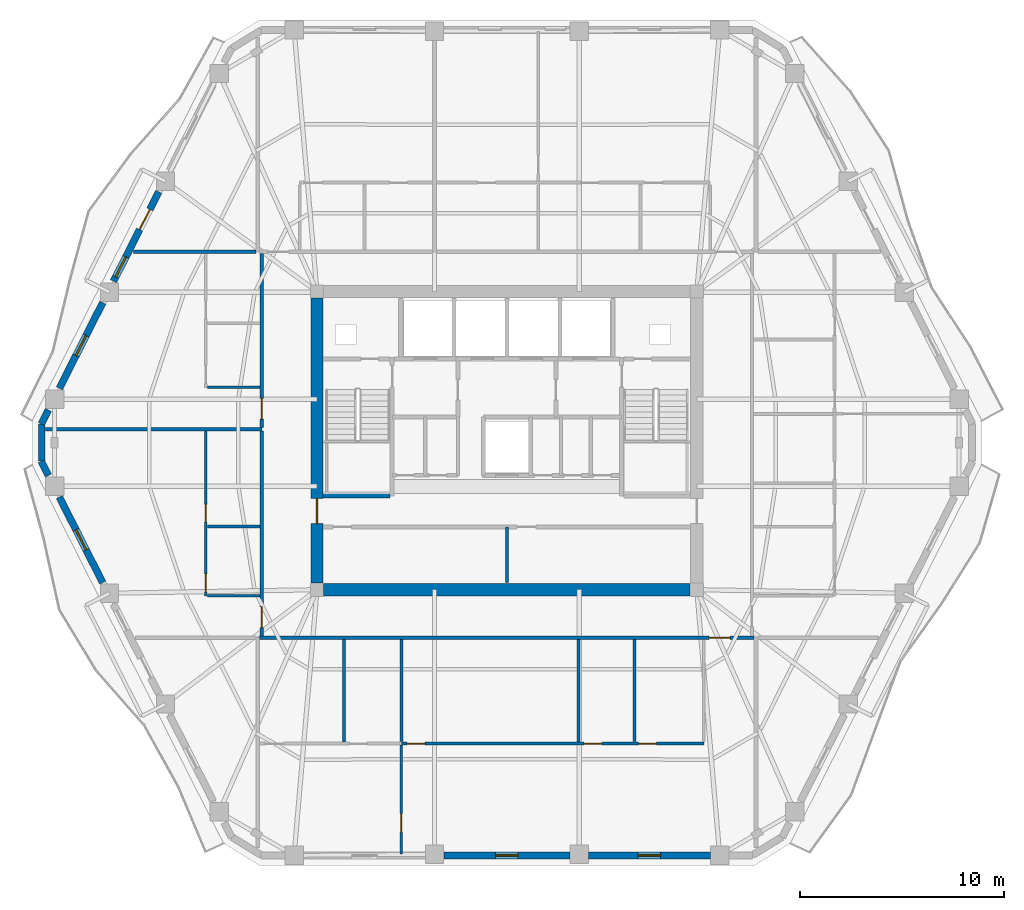
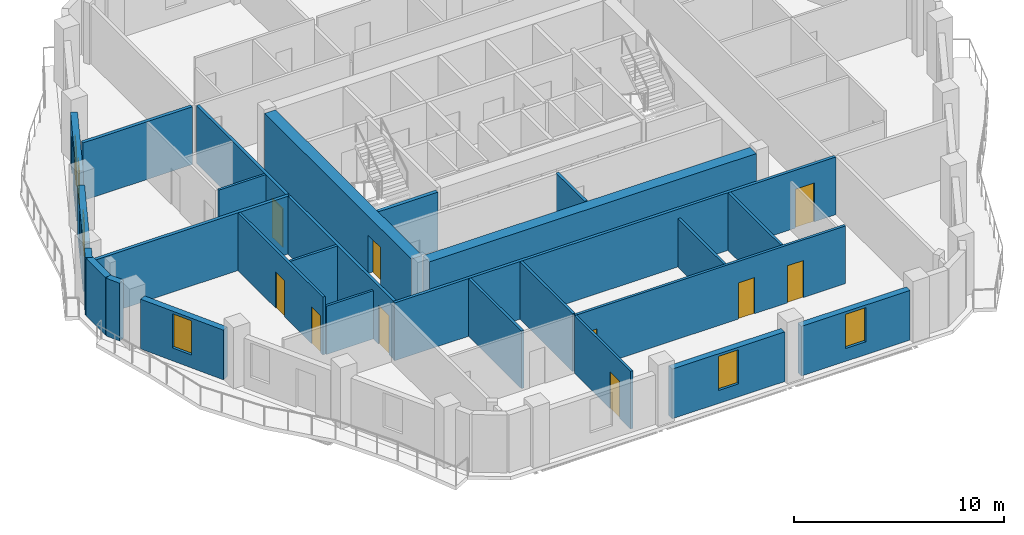
# One storey, part 4 of 12: 27 walls, 11 doors, 5 windows, 16 openings.
"""IFC4 building model written with IfcOpenShell, lengths in metres."""

from ifc_helpers import new_model, si_unit, direction, frame, frame_2d, origin, place, context, subcontext, project, spatial, rectangle, extrude, material, layer, layer_set, type_object, element, fill, save


model = new_model("IFC4")

# Units and contexts
model_context = context("Model", 3, precision=1e-05, world=origin(), true_north=direction((0.0, 1.0)))
body_context = subcontext(model_context, "Body", "Model", "MODEL_VIEW")
ifc_project = project(units=[si_unit("LENGTHUNIT", "METRE"), si_unit("AREAUNIT", "SQUARE_METRE"), si_unit("VOLUMEUNIT", "CUBIC_METRE"), si_unit("PLANEANGLEUNIT", "RADIAN"), si_unit("MASSUNIT", "GRAM", prefix="KILO")], contexts=[model_context])

# Site, building, storey
site_placement = place(None, origin())
site = spatial("IfcSite", under=ifc_project, at=site_placement, CompositionType="ELEMENT")
building_placement = place(site_placement, origin())
building = spatial("IfcBuilding", under=site, at=building_placement, Name="Cinnabar Lancet Tower", CompositionType="ELEMENT")
storey_placement = place(building_placement, frame((0.0, 0.0, 193.199951171875)))
storey = spatial("IfcBuildingStorey", under=building, at=storey_placement, Name="L51", CompositionType="ELEMENT", Elevation=193.199951171875)

# Wall
ifc_material_1 = material(Name="Acoustic twin-stud gypsum partition", Category="gypsum")
ifc_layer_1 = layer(ifc_material_1, 0.159912109375)
ifc_layer_set_1 = layer_set([ifc_layer_1], Name="Acoustic twin-stud gypsum partition")
wall_type_1 = type_object("IfcWallType", Name="ARC-WL-CORR-160", PredefinedType="PARTITIONING", material=ifc_layer_set_1)
wall_1_placement = place(storey_placement, frame((32.39990234375, 18.949951171875, 0.0), z_axis=(0.0, 0.0, 1.0), x_axis=(0.0, 1.0, 0.0)))
element("IfcWall", 1, at=wall_1_placement, inside=storey, type_object=wall_type_1, Name="CW-SB-3240-L51", PredefinedType="PARTITIONING", context=body_context, shape_type="SweptSolid", body=[
    extrude(rectangle(XDim=2.72998046875, YDim=0.159912109375, at=frame_2d((1.364990234375, 0.0))), origin(), (0.0, 0.0, 1.0), 3.35009765625),
])

# Wall, opening, door
wall_2_placement = place(storey_placement, frame((20.294921875, 16.25, 0.0), z_axis=(0.0, 0.0, 1.0), x_axis=(1.0, 0.0, 0.0)))
wall_2 = element("IfcWall", 2, at=wall_2_placement, inside=storey, type_object=wall_type_1, Name="L51 Unit S01 Corridor Wall", PredefinedType="PARTITIONING", context=body_context, shape_type="SweptSolid", body=[
    extrude(rectangle(XDim=24.2099609375, YDim=0.159912109375, at=frame_2d((12.10498046875, 0.0))), origin(), (0.0, 0.0, 1.0), 3.35009765625),
])
opening_1_placement = place(wall_2_placement, frame((22.0048828125, 0.0, 0.0)))
opening_1 = element("IfcOpeningElement", 3, at=opening_1_placement, cuts=wall_2, Name="Opening UD-01", PredefinedType="OPENING", context=body_context, shape_type="SweptSolid", body=[
    extrude(rectangle(XDim=1.02001953125, YDim=2.25, at=frame_2d((0.510009765625, 1.125))), frame((0.0, 0.08984375, 0.0), z_axis=(0.0, -1.0, 0.0), x_axis=(1.0, 0.0, 0.0)), (0.0, 0.0, 1.0), 0.179931640625),
])
ifc_material_2 = material(Name="Solid timber fire-rated apartment entrance door", Category="wood")
door_type_1 = type_object("IfcDoorType", Name="ARC-DR-UNIT", OperationType="NOTDEFINED", PredefinedType="DOOR", material=ifc_material_2)
door_1_placement = place(opening_1_placement, origin())
door_1 = element("IfcDoor", 4, at=door_1_placement, inside=storey, type_object=door_type_1, Name="DR-L51-S01-ENT", OperationType="SINGLE_SWING_RIGHT", OverallHeight=2.25, OverallWidth=1.02001953125, PredefinedType="DOOR", context=body_context, shape_type="SweptSolid", body=[
    extrude(rectangle(XDim=1.02001953125, YDim=2.25, at=frame_2d((0.510009765625, 1.125))), frame((0.0, 0.02490234375, 0.0), z_axis=(0.0, -1.0, 0.0), x_axis=(1.0, 0.0, 0.0)), (0.0, 0.0, 1.0), 0.050048828125),
])
fill(opening_1, door_1)

wall_3_placement = place(storey_placement, frame((20.39990234375, 16.344970703125, 0.0), z_axis=(0.0, 0.0, 1.0), x_axis=(0.0, 1.0, 0.0)))
wall_3 = element("IfcWall", 5, at=wall_3_placement, inside=storey, type_object=wall_type_1, Name="UW-L51-W01-COR", PredefinedType="PARTITIONING", context=body_context, shape_type="SweptSolid", body=[
    extrude(rectangle(XDim=10.01611328125, YDim=0.159912109375, at=frame_2d((5.008056640625, 0.0))), origin(), (0.0, 0.0, 1.0), 3.35009765625),
])
opening_2_placement = place(wall_3_placement, frame((0.39990234375, 0.0, 0.0)))
opening_2 = element("IfcOpeningElement", 6, at=opening_2_placement, cuts=wall_3, Name="Opening UD-01", PredefinedType="OPENING", context=body_context, shape_type="SweptSolid", body=[
    extrude(rectangle(XDim=1.02001953125, YDim=2.25, at=frame_2d((0.510009765625, 1.125))), frame((0.0, 0.08984375, 0.0), z_axis=(0.0, -1.0, 0.0), x_axis=(1.0, 0.0, 0.0)), (0.0, 0.0, 1.0), 0.179931640625),
])
door_2_placement = place(opening_2_placement, origin())
door_2 = element("IfcDoor", 7, at=door_2_placement, inside=storey, type_object=door_type_1, Name="DR-L51-W01-ENT", OperationType="SINGLE_SWING_RIGHT", OverallHeight=2.25, OverallWidth=1.02001953125, PredefinedType="DOOR", context=body_context, shape_type="SweptSolid", body=[
    extrude(rectangle(XDim=1.02001953125, YDim=2.25, at=frame_2d((0.510009765625, 1.125))), frame((0.0, 0.02490234375, 0.0), z_axis=(0.0, -1.0, 0.0), x_axis=(1.0, 0.0, 0.0)), (0.0, 0.0, 1.0), 0.050048828125),
])
fill(opening_2, door_2)

wall_4_placement = place(storey_placement, frame((20.39990234375, 26.551025390625, 0.0), z_axis=(0.0, 0.0, 1.0), x_axis=(0.0, 1.0, 0.0)))
wall_4 = element("IfcWall", 8, at=wall_4_placement, inside=storey, type_object=wall_type_1, Name="UW-L51-W02-COR", PredefinedType="PARTITIONING", context=body_context, shape_type="SweptSolid", body=[
    extrude(rectangle(XDim=8.50390625, YDim=0.159912109375, at=frame_2d((4.251953125, 0.0))), origin(), (0.0, 0.0, 1.0), 3.35009765625),
])
opening_3_placement = place(wall_4_placement, frame((0.39990234375, 0.0, 0.0)))
opening_3 = element("IfcOpeningElement", 9, at=opening_3_placement, cuts=wall_4, Name="Opening UD-01", PredefinedType="OPENING", context=body_context, shape_type="SweptSolid", body=[
    extrude(rectangle(XDim=1.02001953125, YDim=2.25, at=frame_2d((0.510009765625, 1.125))), frame((0.0, 0.08984375, 0.0), z_axis=(0.0, -1.0, 0.0), x_axis=(1.0, 0.0, 0.0)), (0.0, 0.0, 1.0), 0.179931640625),
])
door_3_placement = place(opening_3_placement, origin())
door_3 = element("IfcDoor", 10, at=door_3_placement, inside=storey, type_object=door_type_1, Name="DR-L51-W02-ENT", OperationType="SINGLE_SWING_LEFT", OverallHeight=2.25, OverallWidth=1.02001953125, PredefinedType="DOOR", context=body_context, shape_type="SweptSolid", body=[
    extrude(rectangle(XDim=1.02001953125, YDim=2.25, at=frame_2d((0.510009765625, 1.125))), frame((0.0, 0.02490234375, 0.0), z_axis=(0.0, -1.0, 0.0), x_axis=(1.0, 0.0, 0.0)), (0.0, 0.0, 1.0), 0.050048828125),
])
fill(opening_3, door_3)

# Walls
ifc_material_3 = material(Name="Fire-rated twin-frame acoustic drywall", Category="gypsum")
ifc_layer_2 = layer(ifc_material_3, 0.179931640625)
ifc_layer_set_2 = layer_set([ifc_layer_2], Name="Fire-rated twin-frame acoustic drywall")
wall_type_2 = type_object("IfcWallType", Name="ARC-WL-PARTY-180", PredefinedType="PARTITIONING", material=ifc_layer_set_2)
wall_5_placement = place(storey_placement, frame((14.110107421875, 35.14990234375, 0.0), z_axis=(0.0, 0.0, 1.0), x_axis=(1.0, 0.0, 0.0)))
element("IfcWall", 11, at=wall_5_placement, inside=storey, type_object=wall_type_2, Name="PW-L51-WNB", PredefinedType="PARTITIONING", context=body_context, shape_type="SweptSolid", body=[
    extrude(rectangle(XDim=5.994873046875, YDim=0.179931640625, at=frame_2d((2.99755859375, 0.0))), origin(), (0.0, 0.0, 1.0), 3.35009765625),
])
wall_6_placement = place(storey_placement, frame((9.797119140625, 26.4560546875, 0.0), z_axis=(0.0, 0.0, 1.0), x_axis=(1.0, 0.0, 0.0)))
element("IfcWall", 12, at=wall_6_placement, inside=storey, type_object=wall_type_2, Name="PW-L51-WPTY-1", PredefinedType="PARTITIONING", context=body_context, shape_type="SweptSolid", body=[
    extrude(rectangle(XDim=10.602783203125, YDim=0.179931640625, at=frame_2d((5.30126953125, 0.0))), origin(), (0.0, 0.0, 1.0), 3.35009765625),
])
ifc_material_4 = material(Name="Autoclaved aerated concrete blockwork", Category="masonry")
ifc_layer_3 = layer(ifc_material_4, 0.199951171875)
ifc_layer_set_3 = layer_set([ifc_layer_3], Name="Autoclaved aerated concrete blockwork")
wall_type_3 = type_object("IfcWallType", Name="ARC-WL-SHAFT-200", PredefinedType="PLUMBINGWALL", material=ifc_layer_set_3)
wall_7_placement = place(storey_placement, frame((23.405029296875, 23.199951171875, 0.0), z_axis=(0.0, 0.0, 1.0), x_axis=(1.0, 0.0, 0.0)))
element("IfcWall", 13, at=wall_7_placement, inside=storey, type_object=wall_type_3, Name="CW-ST1S-L51", PredefinedType="PLUMBINGWALL", context=body_context, shape_type="SweptSolid", body=[
    extrude(rectangle(XDim=3.27001953125, YDim=0.199951171875, at=frame_2d((1.635009765625, 0.0))), origin(), (0.0, 0.0, 1.0), 3.35009765625),
])

# Wall, opening, door
ifc_material_5 = material(Name="Gypsum plasterboard stud partition", Category="gypsum")
ifc_layer_4 = layer(ifc_material_5, 0.125)
ifc_layer_set_4 = layer_set([ifc_layer_4], Name="Gypsum plasterboard stud partition")
wall_type_4 = type_object("IfcWallType", Name="ARC-WL-UNIT-125", PredefinedType="PARTITIONING", material=ifc_layer_set_4)
wall_8_placement = place(storey_placement, frame((27.237060546875, 5.6650390625, 0.0), z_axis=(0.0, 0.0, 1.0), x_axis=(0.0, 1.0, 0.0)))
wall_8 = element("IfcWall", 14, at=wall_8_placement, inside=storey, type_object=wall_type_4, Name="UW-L51-S01-MBW", PredefinedType="PARTITIONING", context=body_context, shape_type="SweptSolid", body=[
    extrude(rectangle(XDim=5.322998046875, YDim=0.125, at=frame_2d((2.66162109375, 0.0))), origin(), (0.0, 0.0, 1.0), 3.35009765625),
])
opening_4_placement = place(wall_8_placement, frame((1.050048828125, 0.0, 0.0)))
opening_4 = element("IfcOpeningElement", 15, at=opening_4_placement, cuts=wall_8, Name="Opening RD-01", PredefinedType="OPENING", context=body_context, shape_type="SweptSolid", body=[
    extrude(rectangle(XDim=0.919921875, YDim=2.14990234375, at=frame_2d((0.4599609375, 1.074951171875))), frame((0.0, 0.072509765625, 0.0), z_axis=(0.0, -1.0, 0.0), x_axis=(1.0, 0.0, 0.0)), (0.0, 0.0, 1.0), 0.14501953125),
])
ifc_material_6 = material(Name="Engineered timber bedroom door", Category="wood")
door_type_2 = type_object("IfcDoorType", Name="ARC-DR-ROOM", OperationType="NOTDEFINED", PredefinedType="DOOR", material=ifc_material_6)
door_4_placement = place(opening_4_placement, origin())
door_4 = element("IfcDoor", 16, at=door_4_placement, inside=storey, type_object=door_type_2, Name="DR-L51-S01-MBD", OperationType="SINGLE_SWING_LEFT", OverallHeight=2.14990234375, OverallWidth=0.919921875, PredefinedType="DOOR", context=body_context, shape_type="SweptSolid", body=[
    extrude(rectangle(XDim=0.919921875, YDim=2.14990234375, at=frame_2d((0.4599609375, 1.074951171875))), frame((0.0, 0.02490234375, 0.0), z_axis=(0.0, -1.0, 0.0), x_axis=(1.0, 0.0, 0.0)), (0.0, 0.0, 1.0), 0.050048828125),
])
fill(opening_4, door_4)

# Walls
wall_9_placement = place(storey_placement, frame((17.735107421875, 18.300048828125, 0.0), z_axis=(0.0, 0.0, 1.0), x_axis=(1.0, 0.0, 0.0)))
element("IfcWall", 17, at=wall_9_placement, inside=storey, type_object=wall_type_4, Name="UW-L51-W01-FOYN", PredefinedType="PARTITIONING", context=body_context, shape_type="SweptSolid", body=[
    extrude(rectangle(XDim=2.579833984375, YDim=0.125, at=frame_2d((1.2900390625, 0.0))), origin(), (0.0, 0.0, 1.0), 2.80712890625),
])
wall_10_placement = place(storey_placement, frame((17.735107421875, 28.506103515625, 0.0), z_axis=(0.0, 0.0, 1.0), x_axis=(1.0, 0.0, 0.0)))
element("IfcWall", 18, at=wall_10_placement, inside=storey, type_object=wall_type_4, Name="UW-L51-W02-FOYN", PredefinedType="PARTITIONING", context=body_context, shape_type="SweptSolid", body=[
    extrude(rectangle(XDim=2.579833984375, YDim=0.125, at=frame_2d((1.2900390625, 0.0))), origin(), (0.0, 0.0, 1.0), 3.35009765625),
])

# Wall, openings, doors
ifc_material_7 = material(Name="Moisture-resistant cement-board plumbing wall", Category="masonry")
ifc_layer_5 = layer(ifc_material_7, 0.139892578125)
ifc_layer_set_5 = layer_set([ifc_layer_5], Name="Moisture-resistant cement-board plumbing wall")
wall_type_5 = type_object("IfcWallType", Name="ARC-WL-WET-140", PredefinedType="PLUMBINGWALL", material=ifc_layer_set_5)
wall_11_placement = place(storey_placement, frame((27.237060546875, 11.06298828125, 0.0), z_axis=(0.0, 0.0, 1.0), x_axis=(1.0, 0.0, 0.0)))
wall_11 = element("IfcWall", 19, at=wall_11_placement, inside=storey, type_object=wall_type_5, Name="UW-L51-S01-SPL", PredefinedType="PLUMBINGWALL", context=body_context, shape_type="SweptSolid", body=[
    extrude(rectangle(XDim=14.81298828125, YDim=0.139892578125, at=frame_2d((7.406494140625, 0.0))), origin(), (0.0, 0.0, 1.0), 3.35009765625),
])
opening_5_placement = place(wall_11_placement, frame((0.280029296875, 0.0, 0.0)))
opening_5 = element("IfcOpeningElement", 20, at=opening_5_placement, cuts=wall_11, Name="Opening RD-02", PredefinedType="OPENING", context=body_context, shape_type="SweptSolid", body=[
    extrude(rectangle(XDim=0.8798828125, YDim=2.14990234375, at=frame_2d((0.43994140625, 1.074951171875))), frame((0.0, 0.079833984375, 0.0), z_axis=(0.0, -1.0, 0.0), x_axis=(1.0, 0.0, 0.0)), (0.0, 0.0, 1.0), 0.159912109375),
])
opening_6_placement = place(wall_11_placement, frame((8.947998046875, 0.0, 0.0)))
opening_6 = element("IfcOpeningElement", 21, at=opening_6_placement, cuts=wall_11, Name="Opening BD-01", PredefinedType="OPENING", context=body_context, shape_type="SweptSolid", body=[
    extrude(rectangle(XDim=0.860107421875, YDim=2.10009765625, at=frame_2d((0.43017578125, 1.050048828125))), frame((0.0, 0.079833984375, 0.0), z_axis=(0.0, -1.0, 0.0), x_axis=(1.0, 0.0, 0.0)), (0.0, 0.0, 1.0), 0.159912109375),
])
opening_7_placement = place(wall_11_placement, frame((11.613037109375, 0.0, 0.0)))
opening_7 = element("IfcOpeningElement", 22, at=opening_7_placement, cuts=wall_11, Name="Opening RD-02", PredefinedType="OPENING", context=body_context, shape_type="SweptSolid", body=[
    extrude(rectangle(XDim=0.8798828125, YDim=2.14990234375, at=frame_2d((0.43994140625, 1.074951171875))), frame((0.0, 0.079833984375, 0.0), z_axis=(0.0, -1.0, 0.0), x_axis=(1.0, 0.0, 0.0)), (0.0, 0.0, 1.0), 0.159912109375),
])
ifc_material_8 = material(Name="Moisture-resistant timber bathroom door", Category="wood")
door_type_3 = type_object("IfcDoorType", Name="ARC-DR-BATH", OperationType="NOTDEFINED", PredefinedType="DOOR", material=ifc_material_8)
door_5_placement = place(opening_6_placement, origin())
door_5 = element("IfcDoor", 23, at=door_5_placement, inside=storey, type_object=door_type_3, Name="DR-L51-S01-BTH", OperationType="SINGLE_SWING_RIGHT", OverallHeight=2.10009765625, OverallWidth=0.860107421875, PredefinedType="DOOR", context=body_context, shape_type="SweptSolid", body=[
    extrude(rectangle(XDim=0.860107421875, YDim=2.10009765625, at=frame_2d((0.43017578125, 1.050048828125))), frame((0.0, 0.02490234375, 0.0), z_axis=(0.0, -1.0, 0.0), x_axis=(1.0, 0.0, 0.0)), (0.0, 0.0, 1.0), 0.050048828125),
])
fill(opening_6, door_5)
ifc_material_9 = material(Name="Engineered timber study door", Category="wood")
door_type_4 = type_object("IfcDoorType", Name="ARC-DR-STUDY", OperationType="NOTDEFINED", PredefinedType="DOOR", material=ifc_material_9)
door_6_placement = place(opening_5_placement, origin())
door_6 = element("IfcDoor", 24, at=door_6_placement, inside=storey, type_object=door_type_4, Name="DR-L51-S01-BTH-WDR", OperationType="SINGLE_SWING_LEFT", OverallHeight=2.14990234375, OverallWidth=0.8798828125, PredefinedType="DOOR", context=body_context, shape_type="SweptSolid", body=[
    extrude(rectangle(XDim=0.8798828125, YDim=2.14990234375, at=frame_2d((0.43994140625, 1.074951171875))), frame((0.0, 0.02490234375, 0.0), z_axis=(0.0, -1.0, 0.0), x_axis=(1.0, 0.0, 0.0)), (0.0, 0.0, 1.0), 0.050048828125),
])
fill(opening_5, door_6)
door_7_placement = place(opening_7_placement, origin())
door_7 = element("IfcDoor", 25, at=door_7_placement, inside=storey, type_object=door_type_4, Name="DR-L51-S01-KIT", OperationType="SINGLE_SWING_RIGHT", OverallHeight=2.14990234375, OverallWidth=0.8798828125, PredefinedType="DOOR", context=body_context, shape_type="SweptSolid", body=[
    extrude(rectangle(XDim=0.8798828125, YDim=2.14990234375, at=frame_2d((0.43994140625, 1.074951171875))), frame((0.0, 0.02490234375, 0.0), z_axis=(0.0, -1.0, 0.0), x_axis=(1.0, 0.0, 0.0)), (0.0, 0.0, 1.0), 0.050048828125),
])
fill(opening_7, door_7)

# Walls
for number, where, z_axis, x_axis, name in (
    (26, (38.64990234375, 11.16796875, 0.0), (0.0, 0.0, 1.0), (0.0, 1.0, 0.0), "UW-L51-S01-KBD"),
    (27, (27.237060546875, 11.16796875, 0.0), (0.0, 0.0, 1.0), (0.0, 1.0, 0.0), "UW-L51-S01-ENSW"),
):
    element("IfcWall", number, at=place(storey_placement, frame(where, z_axis=z_axis, x_axis=x_axis)), inside=storey, type_object=wall_type_5, Name=name, PredefinedType="PLUMBINGWALL", context=body_context, shape_type="SweptSolid", body=[
        extrude(rectangle(XDim=4.9970703125, YDim=0.139892578125, at=frame_2d((2.49853515625, 0.0))), origin(), (0.0, 0.0, 1.0), 3.35009765625),
    ])
wall_12_placement = place(storey_placement, frame((35.905029296875, 11.14794921875, 0.0), z_axis=(0.0, 0.0, 1.0), x_axis=(0.0, 1.0, 0.0)))
element("IfcWall", 28, at=wall_12_placement, inside=storey, type_object=wall_type_5, Name="UW-L51-S01-BTH-WDV", PredefinedType="PLUMBINGWALL", context=body_context, shape_type="SweptSolid", body=[
    extrude(rectangle(XDim=5.01708984375, YDim=0.139892578125, at=frame_2d((2.508544921875, 0.0))), origin(), (0.0, 0.0, 1.0), 2.80712890625),
])
wall_13_placement = place(storey_placement, frame((24.4169921875, 11.14794921875, 0.0), z_axis=(0.0, 0.0, 1.0), x_axis=(0.0, 1.0, 0.0)))
element("IfcWall", 29, at=wall_13_placement, inside=storey, type_object=wall_type_5, Name="UW-L51-S01-ENS-WDV", PredefinedType="PLUMBINGWALL", context=body_context, shape_type="SweptSolid", body=[
    extrude(rectangle(XDim=5.01708984375, YDim=0.139892578125, at=frame_2d((2.508544921875, 0.0))), origin(), (0.0, 0.0, 1.0), 3.35009765625),
])

# Wall, openings, doors
wall_14_placement = place(storey_placement, frame((17.64990234375, 18.300048828125, 0.0), z_axis=(0.0, 0.0, 1.0), x_axis=(0.0, 1.0, 0.0)))
wall_14 = element("IfcWall", 30, at=wall_14_placement, inside=storey, type_object=wall_type_5, Name="UW-L51-W01-SPL", PredefinedType="PLUMBINGWALL", context=body_context, shape_type="SweptSolid", body=[
    extrude(rectangle(XDim=8.06103515625, YDim=0.139892578125, at=frame_2d((4.030517578125, 0.0))), origin(), (0.0, 0.0, 1.0), 3.35009765625),
])
opening_8_placement = place(wall_14_placement, frame((3.6201171875, 0.0, 0.0)))
opening_8 = element("IfcOpeningElement", 31, at=opening_8_placement, cuts=wall_14, Name="Opening BD-01", PredefinedType="OPENING", context=body_context, shape_type="SweptSolid", body=[
    extrude(rectangle(XDim=0.860107421875, YDim=2.10009765625, at=frame_2d((0.43017578125, 1.050048828125))), frame((0.0, 0.079833984375, 0.0), z_axis=(0.0, -1.0, 0.0), x_axis=(1.0, 0.0, 0.0)), (0.0, 0.0, 1.0), 0.159912109375),
])
opening_9_placement = place(wall_14_placement, frame((0.199951171875, 0.0, 0.0)))
opening_9 = element("IfcOpeningElement", 32, at=opening_9_placement, cuts=wall_14, Name="Opening RD-02", PredefinedType="OPENING", context=body_context, shape_type="SweptSolid", body=[
    extrude(rectangle(XDim=0.8798828125, YDim=2.14990234375, at=frame_2d((0.43994140625, 1.074951171875))), frame((0.0, 0.079833984375, 0.0), z_axis=(0.0, -1.0, 0.0), x_axis=(1.0, 0.0, 0.0)), (0.0, 0.0, 1.0), 0.159912109375),
])
door_8_placement = place(opening_8_placement, origin())
door_8 = element("IfcDoor", 33, at=door_8_placement, inside=storey, type_object=door_type_3, Name="DR-L51-W01-BTH", OperationType="SINGLE_SWING_RIGHT", OverallHeight=2.10009765625, OverallWidth=0.860107421875, PredefinedType="DOOR", context=body_context, shape_type="SweptSolid", body=[
    extrude(rectangle(XDim=0.860107421875, YDim=2.10009765625, at=frame_2d((0.43017578125, 1.050048828125))), frame((0.0, 0.02490234375, 0.0), z_axis=(0.0, -1.0, 0.0), x_axis=(1.0, 0.0, 0.0)), (0.0, 0.0, 1.0), 0.050048828125),
])
fill(opening_8, door_8)
door_9_placement = place(opening_9_placement, origin())
door_9 = element("IfcDoor", 34, at=door_9_placement, inside=storey, type_object=door_type_4, Name="DR-L51-W01-KIT", OperationType="SINGLE_SWING_LEFT", OverallHeight=2.14990234375, OverallWidth=0.8798828125, PredefinedType="DOOR", context=body_context, shape_type="SweptSolid", body=[
    extrude(rectangle(XDim=0.8798828125, YDim=2.14990234375, at=frame_2d((0.43994140625, 1.074951171875))), frame((0.0, 0.02490234375, 0.0), z_axis=(0.0, -1.0, 0.0), x_axis=(1.0, 0.0, 0.0)), (0.0, 0.0, 1.0), 0.050048828125),
])
fill(opening_9, door_9)

# Walls
wall_15_placement = place(storey_placement, frame((17.735107421875, 21.699951171875, 0.0), z_axis=(0.0, 0.0, 1.0), x_axis=(1.0, 0.0, 0.0)))
element("IfcWall", 35, at=wall_15_placement, inside=storey, type_object=wall_type_5, Name="UW-L51-W01-KDV", PredefinedType="PLUMBINGWALL", context=body_context, shape_type="SweptSolid", body=[
    extrude(rectangle(XDim=2.579833984375, YDim=0.139892578125, at=frame_2d((1.2900390625, 0.0))), origin(), (0.0, 0.0, 1.0), 3.35009765625),
])
ifc_material_10 = material(Name="Cinnabar red clay brick", Category="masonry")
ifc_layer_6 = layer(ifc_material_10, 0.340087890625)
ifc_layer_set_6 = layer_set([ifc_layer_6], Name="Cinnabar red clay brick")
wall_type_6 = type_object("IfcWallType", Name="ENV-WL-BRK-RED-340", PredefinedType="STANDARD", material=ifc_layer_set_6)
wall_16_placement = place(storey_placement, frame((9.6220703125, 26.7080078125, 0.0), z_axis=(0.0, 0.0, 1.0), x_axis=(0.0, -1.0, 0.0)))
element("IfcWall", 36, at=wall_16_placement, inside=storey, type_object=wall_type_6, Name="L51 Chamfered Corner Brick Pier 6.1", PredefinedType="STANDARD", context=body_context, shape_type="SweptSolid", body=[
    extrude(rectangle(XDim=1.81591796875, YDim=0.340087890625, at=frame_2d((0.907958984375, 0.0))), origin(), (0.0, 0.0, 1.0), 3.35009765625),
])

# Wall, opening, window
wall_17_placement = place(storey_placement, frame((29.31103515625, 5.580078125, 0.0), z_axis=(0.0, 0.0, 1.0), x_axis=(1.0, 0.0, 0.0)))
wall_17 = element("IfcWall", 37, at=wall_17_placement, inside=storey, type_object=wall_type_6, Name="L51 Face 1 Masonry Bay Wall 3", PredefinedType="STANDARD", context=body_context, shape_type="SweptSolid", body=[
    extrude(rectangle(XDim=6.177978515625, YDim=0.340087890625, at=frame_2d((3.0888671875, 0.0))), origin(), (0.0, 0.0, 1.0), 2.883056640625),
])
opening_10_placement = place(wall_17_placement, frame((2.5390625, 0.0, 0.75)))
opening_10 = element("IfcOpeningElement", 38, at=opening_10_placement, cuts=wall_17, Name="Opening WN-04", PredefinedType="OPENING", context=body_context, shape_type="SweptSolid", body=[
    extrude(rectangle(XDim=1.10009765625, YDim=1.98291015625, at=frame_2d((0.550048828125, 0.991455078125))), frame((0.0, 0.179931640625, 0.0), z_axis=(0.0, -1.0, 0.0), x_axis=(1.0, 0.0, 0.0)), (0.0, 0.0, 1.0), 0.360107421875),
])
ifc_material_11 = material(Name="Thermally broken bronze-anodized aluminium tall lancet window", Category="aluminium")
window_type = type_object("IfcWindowType", Name="ENV-WN-LANCET-1100", PartitioningType="SINGLE_PANEL", PredefinedType="WINDOW", material=ifc_material_11)
window_1_placement = place(opening_10_placement, origin())
window_1 = element("IfcWindow", 39, at=window_1_placement, inside=storey, type_object=window_type, Name="L51 Face 1 Gothic Lancet Window 3", OverallHeight=1.98291015625, OverallWidth=1.10009765625, PartitioningType="SINGLE_PANEL", PredefinedType="WINDOW", context=body_context, shape_type="SweptSolid", body=[
    extrude(rectangle(XDim=1.10009765625, YDim=1.98291015625, at=frame_2d((0.550048828125, 0.991455078125))), frame((0.0, 0.030029296875, 0.0), z_axis=(0.0, -1.0, 0.0), x_axis=(1.0, 0.0, 0.0)), (0.0, 0.0, 1.0), 0.06005859375),
])
fill(opening_10, window_1)

wall_18_placement = place(storey_placement, frame((36.39697265625, 5.580078125, 0.0), z_axis=(0.0, 0.0, 1.0), x_axis=(1.0, 0.0, 0.0)))
wall_18 = element("IfcWall", 40, at=wall_18_placement, inside=storey, type_object=wall_type_6, Name="L51 Face 1 Masonry Bay Wall 4", PredefinedType="STANDARD", context=body_context, shape_type="SweptSolid", body=[
    extrude(rectangle(XDim=5.969970703125, YDim=0.340087890625, at=frame_2d((2.98486328125, 0.0))), origin(), (0.0, 0.0, 1.0), 2.883056640625),
])
opening_11_placement = place(wall_18_placement, frame((2.43505859375, 0.0, 0.75)))
opening_11 = element("IfcOpeningElement", 41, at=opening_11_placement, cuts=wall_18, Name="Opening WN-04", PredefinedType="OPENING", context=body_context, shape_type="SweptSolid", body=[
    extrude(rectangle(XDim=1.10009765625, YDim=1.98291015625, at=frame_2d((0.550048828125, 0.991455078125))), frame((0.0, 0.179931640625, 0.0), z_axis=(0.0, -1.0, 0.0), x_axis=(1.0, 0.0, 0.0)), (0.0, 0.0, 1.0), 0.360107421875),
])
window_2_placement = place(opening_11_placement, origin())
window_2 = element("IfcWindow", 42, at=window_2_placement, inside=storey, type_object=window_type, Name="L51 Face 1 Gothic Lancet Window 4", OverallHeight=1.98291015625, OverallWidth=1.10009765625, PartitioningType="SINGLE_PANEL", PredefinedType="WINDOW", context=body_context, shape_type="SweptSolid", body=[
    extrude(rectangle(XDim=1.10009765625, YDim=1.98291015625, at=frame_2d((0.550048828125, 0.991455078125))), frame((0.0, 0.030029296875, 0.0), z_axis=(0.0, -1.0, 0.0), x_axis=(1.0, 0.0, 0.0)), (0.0, 0.0, 1.0), 0.06005859375),
])
fill(opening_11, window_2)

# Wall, openings, door, window
wall_19_placement = place(storey_placement, frame((15.35205078125, 38.0830078125, 0.0), z_axis=(0.0, 0.0, 1.0), x_axis=(-0.451524246964, -0.89225884944, 0.0)))
wall_19 = element("IfcWall", 43, at=wall_19_placement, inside=storey, type_object=wall_type_6, Name="L51 Face 5 Masonry Bay Wall 3", PredefinedType="STANDARD", context=body_context, shape_type="SweptSolid", body=[
    extrude(rectangle(XDim=4.91015625, YDim=0.340087890625, at=frame_2d((2.455078125, 0.0))), origin(), (0.0, 0.0, 1.0), 2.883056640625),
])
opening_12_placement = place(wall_19_placement, frame((0.968017578125, 0.0, 0.0)))
opening_12 = element("IfcOpeningElement", 44, at=opening_12_placement, cuts=wall_19, Name="Opening TD-01", PredefinedType="OPENING", context=body_context, shape_type="SweptSolid", body=[
    extrude(rectangle(XDim=1.10009765625, YDim=2.25, at=frame_2d((0.550048828125, 1.125))), frame((0.0, 0.179931640625, 0.0), z_axis=(0.0, -1.0, 0.0), x_axis=(1.0, 0.0, 0.0)), (0.0, 0.0, 1.0), 0.360107421875),
])
opening_13_placement = place(wall_19_placement, frame((3.569091796875, 0.0, 0.75)))
opening_13 = element("IfcOpeningElement", 45, at=opening_13_placement, cuts=wall_19, Name="Opening WN-04", PredefinedType="OPENING", context=body_context, shape_type="SweptSolid", body=[
    extrude(rectangle(XDim=1.10009765625, YDim=1.98291015625, at=frame_2d((0.550048828125, 0.991455078125))), frame((0.0, 0.179931640625, 0.0), z_axis=(0.0, -1.0, 0.0), x_axis=(1.0, 0.0, 0.0)), (0.0, 0.0, 1.0), 0.360107421875),
])
ifc_material_12 = material(Name="Thermally broken low-E glazed balcony terrace door", Category="wood")
door_type_5 = type_object("IfcDoorType", Name="ARC-DR-BALC", OperationType="NOTDEFINED", PredefinedType="DOOR", material=ifc_material_12)
door_10_placement = place(opening_12_placement, origin())
door_10 = element("IfcDoor", 46, at=door_10_placement, inside=storey, type_object=door_type_5, Name="L51 Face 5 Glazed Terrace Door", OperationType="SINGLE_SWING_RIGHT", OverallHeight=2.25, OverallWidth=1.10009765625, PredefinedType="DOOR", context=body_context, shape_type="SweptSolid", body=[
    extrude(rectangle(XDim=1.10009765625, YDim=2.25, at=frame_2d((0.550048828125, 1.125))), frame((0.0, 0.02490234375, 0.0), z_axis=(0.0, -1.0, 0.0), x_axis=(1.0, 0.0, 0.0)), (0.0, 0.0, 1.0), 0.050048828125),
])
fill(opening_12, door_10)
window_3_placement = place(opening_13_placement, origin())
window_3 = element("IfcWindow", 47, at=window_3_placement, inside=storey, type_object=window_type, Name="L51 Split-Bay Gothic Lancet Window 170", OverallHeight=1.98291015625, OverallWidth=1.10009765625, PartitioningType="SINGLE_PANEL", PredefinedType="WINDOW", context=body_context, shape_type="SweptSolid", body=[
    extrude(rectangle(XDim=1.10009765625, YDim=1.98291015625, at=frame_2d((0.550048828125, 0.991455078125))), frame((0.0, 0.030029296875, 0.0), z_axis=(0.0, -1.0, 0.0), x_axis=(1.0, 0.0, 0.0)), (0.0, 0.0, 1.0), 0.06005859375),
])
fill(opening_13, window_3)

# Wall, opening, window
wall_20_placement = place(storey_placement, frame((12.60693359375, 32.656982421875, 0.0), z_axis=(0.0, 0.0, 1.0), x_axis=(-0.451426298588, -0.892308409096, 0.0)))
wall_20 = element("IfcWall", 48, at=wall_20_placement, inside=storey, type_object=wall_type_6, Name="L51 Face 5 Masonry Bay Wall 4", PredefinedType="STANDARD", context=body_context, shape_type="SweptSolid", body=[
    extrude(rectangle(XDim=4.7001953125, YDim=0.340087890625, at=frame_2d((2.35009765625, 0.0))), origin(), (0.0, 0.0, 1.0), 2.883056640625),
])
opening_14_placement = place(wall_20_placement, frame((1.800048828125, 0.0, 0.75)))
opening_14 = element("IfcOpeningElement", 49, at=opening_14_placement, cuts=wall_20, Name="Opening WN-04", PredefinedType="OPENING", context=body_context, shape_type="SweptSolid", body=[
    extrude(rectangle(XDim=1.10009765625, YDim=1.98291015625, at=frame_2d((0.550048828125, 0.991455078125))), frame((0.0, 0.179931640625, 0.0), z_axis=(0.0, -1.0, 0.0), x_axis=(1.0, 0.0, 0.0)), (0.0, 0.0, 1.0), 0.360107421875),
])
window_4_placement = place(opening_14_placement, origin())
window_4 = element("IfcWindow", 50, at=window_4_placement, inside=storey, type_object=window_type, Name="L51 Face 5 Gothic Lancet Window 4", OverallHeight=1.98291015625, OverallWidth=1.10009765625, PartitioningType="SINGLE_PANEL", PredefinedType="WINDOW", context=body_context, shape_type="SweptSolid", body=[
    extrude(rectangle(XDim=1.10009765625, YDim=1.98291015625, at=frame_2d((0.550048828125, 0.991455078125))), frame((0.0, 0.030029296875, 0.0), z_axis=(0.0, -1.0, 0.0), x_axis=(1.0, 0.0, 0.0)), (0.0, 0.0, 1.0), 0.06005859375),
])
fill(opening_14, window_4)

# Walls
for number, where, z_axis, x_axis, name in (
    (51, (9.948974609375, 27.403076171875, 0.0), (0.0, 0.0, 1.0), (-0.451262448184, -0.892391283496, 0.0), "L51 Face 5 Masonry Bay Wall 5"),
    (52, (9.60107421875, 24.885009765625, 0.0), (0.0, 0.0, 1.0), (0.451262448184, -0.892391283496, 0.0), "L51 Face 6 Masonry Bay Wall 1"),
):
    element("IfcWall", number, at=place(storey_placement, frame(where, z_axis=z_axis, x_axis=x_axis)), inside=storey, type_object=wall_type_6, Name=name, PredefinedType="STANDARD", context=body_context, shape_type="SweptSolid", body=[
        extrude(rectangle(XDim=0.77099609375, YDim=0.340087890625, at=frame_2d((0.385498046875, 0.0))), origin(), (0.0, 0.0, 1.0), 3.35009765625),
    ])

# Wall, opening, window
wall_21_placement = place(storey_placement, frame((10.485107421875, 23.136962890625, 0.0), z_axis=(0.0, 0.0, 1.0), x_axis=(0.451447222193, -0.892297823361, 0.0)))
wall_21 = element("IfcWall", 53, at=wall_21_placement, inside=storey, type_object=wall_type_6, Name="L51 Face 6 Masonry Bay Wall 2", PredefinedType="STANDARD", context=body_context, shape_type="SweptSolid", body=[
    extrude(rectangle(XDim=4.699951171875, YDim=0.340087890625, at=frame_2d((2.35009765625, 0.0))), origin(), (0.0, 0.0, 1.0), 2.883056640625),
])
opening_15_placement = place(wall_21_placement, frame((1.800048828125, 0.0, 0.75)))
opening_15 = element("IfcOpeningElement", 54, at=opening_15_placement, cuts=wall_21, Name="Opening WN-04", PredefinedType="OPENING", context=body_context, shape_type="SweptSolid", body=[
    extrude(rectangle(XDim=1.10009765625, YDim=1.98291015625, at=frame_2d((0.550048828125, 0.991455078125))), frame((0.0, 0.179931640625, 0.0), z_axis=(0.0, -1.0, 0.0), x_axis=(1.0, 0.0, 0.0)), (0.0, 0.0, 1.0), 0.360107421875),
])
window_5_placement = place(opening_15_placement, origin())
window_5 = element("IfcWindow", 55, at=window_5_placement, inside=storey, type_object=window_type, Name="L51 Face 6 Gothic Lancet Window 2", OverallHeight=1.98291015625, OverallWidth=1.10009765625, PartitioningType="SINGLE_PANEL", PredefinedType="WINDOW", context=body_context, shape_type="SweptSolid", body=[
    extrude(rectangle(XDim=1.10009765625, YDim=1.98291015625, at=frame_2d((0.550048828125, 0.991455078125))), frame((0.0, 0.030029296875, 0.0), z_axis=(0.0, -1.0, 0.0), x_axis=(1.0, 0.0, 0.0)), (0.0, 0.0, 1.0), 0.06005859375),
])
fill(opening_15, window_5)

# Wall
ifc_material_13 = material(Name="Concrete C60/75", Category="concrete")
ifc_layer_7 = layer(ifc_material_13, 0.60009765625)
ifc_layer_set_7 = layer_set([ifc_layer_7], Name="Concrete C60/75")
wall_type_7 = type_object("IfcWallType", Name="STR-WL-CORE-600", PredefinedType="SHEAR", material=ifc_layer_set_7)
wall_22_placement = place(storey_placement, frame((23.425048828125, 18.60009765625, 0.0), z_axis=(0.0, 0.0, 1.0), x_axis=(1.0, 0.0, 0.0)))
element("IfcWall", 56, at=wall_22_placement, inside=storey, type_object=wall_type_7, Name="L51 Core Shear Wall S", PredefinedType="SHEAR", context=body_context, shape_type="SweptSolid", body=[
    extrude(rectangle(XDim=17.949951171875, YDim=0.60009765625, at=frame_2d((8.97509765625, 0.0))), origin(), (0.0, 0.0, 1.0), 3.35009765625),
])

# Wall, opening, door
wall_23_placement = place(storey_placement, frame((23.10009765625, 18.925048828125, 0.0), z_axis=(0.0, 0.0, 1.0), x_axis=(0.0, 1.0, 0.0)))
wall_23 = element("IfcWall", 57, at=wall_23_placement, inside=storey, type_object=wall_type_7, Name="L51 Core Shear Wall W", PredefinedType="SHEAR", context=body_context, shape_type="SweptSolid", body=[
    extrude(rectangle(XDim=13.949951171875, YDim=0.60009765625, at=frame_2d((6.97509765625, 0.0))), origin(), (0.0, 0.0, 1.0), 3.35009765625),
])
opening_16_placement = place(wall_23_placement, frame((2.9150390625, 0.0, 0.0)))
opening_16 = element("IfcOpeningElement", 58, at=opening_16_placement, cuts=wall_23, Name="Opening FD-02", PredefinedType="OPENING", context=body_context, shape_type="SweptSolid", body=[
    extrude(rectangle(XDim=1.219970703125, YDim=2.25, at=frame_2d((0.60986328125, 1.125))), frame((0.0, 0.31005859375, 0.0), z_axis=(0.0, -1.0, 0.0), x_axis=(1.0, 0.0, 0.0)), (0.0, 0.0, 1.0), 0.6201171875),
])
ifc_material_14 = material(Name="Fire-rated double-vision core portal door", Category="wood")
door_type_6 = type_object("IfcDoorType", Name="ARC-DR-CPORT", OperationType="NOTDEFINED", PredefinedType="DOOR", material=ifc_material_14)
door_11_placement = place(opening_16_placement, origin())
door_11 = element("IfcDoor", 59, at=door_11_placement, inside=storey, type_object=door_type_6, Name="L51 West Core Lobby Fire Door", OperationType="SINGLE_SWING_RIGHT", OverallHeight=2.25, OverallWidth=1.219970703125, PredefinedType="DOOR", context=body_context, shape_type="SweptSolid", body=[
    extrude(rectangle(XDim=1.219970703125, YDim=2.25, at=frame_2d((0.60986328125, 1.125))), frame((0.0, 0.02490234375, 0.0), z_axis=(0.0, -1.0, 0.0), x_axis=(1.0, 0.0, 0.0)), (0.0, 0.0, 1.0), 0.050048828125),
])
fill(opening_16, door_11)

save(model, "model.ifc")
